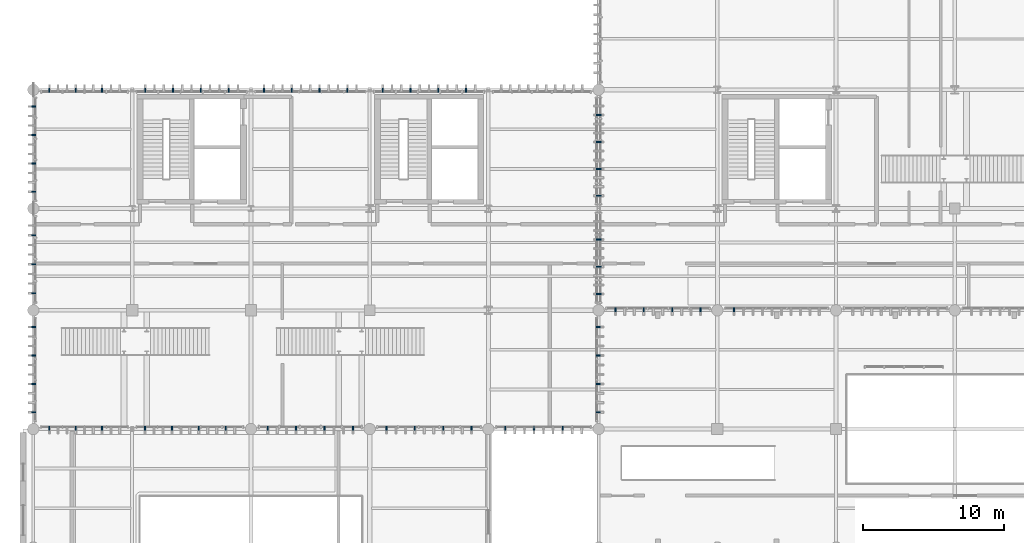
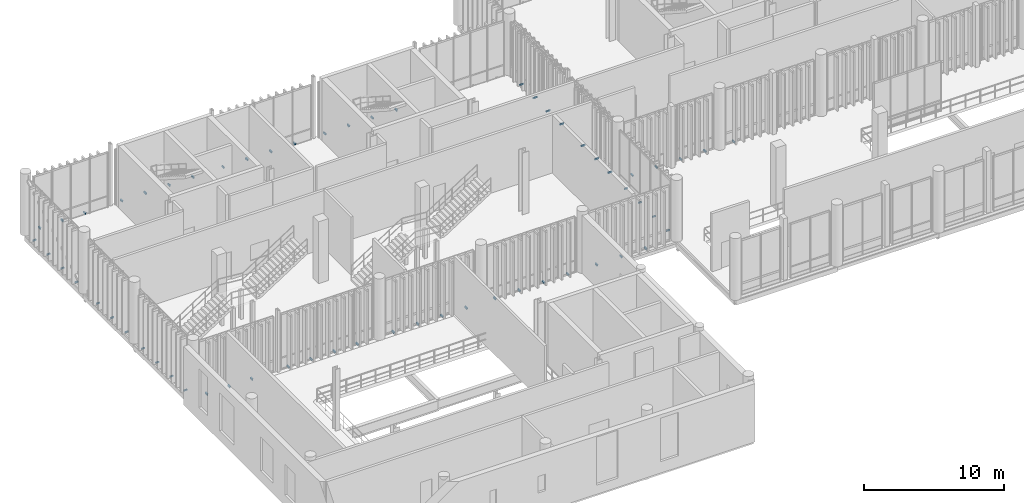
# One storey, part 115 of 128: 67 discrete accessories.
"""IFC4 building model written with IfcOpenShell, lengths in metres."""

from ifc_helpers import new_model, si_unit, direction, frame, origin_with_axes, origin_2d_with_axis, place, context, subcontext, project, spatial, rectangle, extrude, material, type_object, element, save


model = new_model("IFC4")

# Units and contexts
model_context = context("Model", 3, precision=1e-05, world=origin_with_axes(), true_north=direction((0.0, 1.0)))
body_context = subcontext(model_context, "Body", "Model", "MODEL_VIEW")
ifc_project = project(units=[si_unit("LENGTHUNIT", "METRE"), si_unit("AREAUNIT", "SQUARE_METRE"), si_unit("VOLUMEUNIT", "CUBIC_METRE"), si_unit("PLANEANGLEUNIT", "RADIAN"), si_unit("MASSUNIT", "GRAM", prefix="KILO"), si_unit("THERMODYNAMICTEMPERATUREUNIT", "KELVIN")], contexts=[model_context])

# Site, building, storey
site_placement = place(None, origin_with_axes())
site = spatial("IfcSite", under=ifc_project, at=site_placement, CompositionType="ELEMENT")
building_placement = place(site_placement, origin_with_axes())
building = spatial("IfcBuilding", under=site, at=building_placement, Name="Montbau Bow Law Courts", CompositionType="ELEMENT")
storey_placement = place(building_placement, frame((0.0, 0.0, 5.4), z_axis=(0.0, 0.0, 1.0), x_axis=(1.0, 0.0, 0.0)))
storey = spatial("IfcBuildingStorey", under=building, at=storey_placement, Name="L01", CompositionType="ELEMENT", Elevation=5.4)

# Discrete accessories
ifc_material = material(Name="Stainless Steel AISI 316L Outrigger Louvre Bracket", Category="steel")
discrete_accessory_type = type_object("IfcDiscreteAccessoryType", Name="DA-BRK-01", PredefinedType="BRACKET", material=ifc_material)
for number, where, z_axis, x_axis, name in (
    (1, (7.937, 30.64, 5.4), (0.0, 0.0, 1.0), (0.0, -1.0, 0.0), "BRK-L01-0058:brk_0058"),
    (2, (9.802, 30.64, 5.4), (0.0, 0.0, 1.0), (0.0, -1.0, 0.0), "BRK-L01-0059:brk_0059"),
    (3, (11.668, 30.64, 5.4), (0.0, 0.0, 1.0), (0.0, -1.0, 0.0), "BRK-L01-0060:brk_0060"),
    (4, (14.703, 30.64, 5.4), (0.0, 0.0, 1.0), (0.0, -1.0, 0.0), "BRK-L01-0061:brk_0061"),
    (5, (16.607, 30.64, 5.4), (0.0, 0.0, 1.0), (0.0, -1.0, 0.0), "BRK-L01-0062:brk_0062"),
    (6, (18.511, 30.64, 5.4), (0.0, 0.0, 1.0), (0.0, -1.0, 0.0), "BRK-L01-0063:brk_0063"),
    (7, (20.415, 30.64, 5.4), (0.0, 0.0, 1.0), (0.0, -1.0, 0.0), "BRK-L01-0064:brk_0064"),
    (8, (23.385, 30.64, 5.4), (0.0, 0.0, 1.0), (0.0, -1.0, 0.0), "BRK-L01-0065:brk_0065"),
    (9, (25.395, 30.64, 5.4), (0.0, 0.0, 1.0), (0.0, -1.0, 0.0), "BRK-L01-0066:brk_0066"),
    (10, (27.405, 30.64, 5.4), (0.0, 0.0, 1.0), (0.0, -1.0, 0.0), "BRK-L01-0067:brk_0067"),
    (11, (29.415, 30.64, 5.4), (0.0, 0.0, 1.0), (0.0, -1.0, 0.0), "BRK-L01-0068:brk_0068"),
    (12, (31.785, 30.64, 5.4), (0.0, 0.0, 1.0), (0.0, -1.0, 0.0), "BRK-L01-0069:brk_0069"),
    (13, (33.795, 30.64, 5.4), (0.0, 0.0, 1.0), (0.0, -1.0, 0.0), "BRK-L01-0070:brk_0070"),
    (14, (35.805, 30.64, 5.4), (0.0, 0.0, 1.0), (0.0, -1.0, 0.0), "BRK-L01-0071:brk_0071"),
    (15, (37.815, 30.64, 5.4), (0.0, 0.0, 1.0), (0.0, -1.0, 0.0), "BRK-L01-0072:brk_0072"),
    (16, (40.192, 30.64, 5.4), (0.0, 0.0, 1.0), (0.0, -1.0, 0.0), "BRK-L01-0073:brk_0073"),
    (17, (42.223, 30.64, 5.4), (0.0, 0.0, 1.0), (0.0, -1.0, 0.0), "BRK-L01-0074:brk_0074"),
    (18, (44.254, 30.64, 5.4), (0.0, 0.0, 1.0), (0.0, -1.0, 0.0), "BRK-L01-0075:brk_0075"),
    (19, (7.937, 54.56, 5.4), (0.0, 0.0, 1.0), (0.0, 1.0, 0.0), "BRK-L01-0076:brk_0076"),
    (20, (9.802, 54.56, 5.4), (0.0, 0.0, 1.0), (0.0, 1.0, 0.0), "BRK-L01-0077:brk_0077"),
    (21, (11.668, 54.56, 5.4), (0.0, 0.0, 1.0), (0.0, 1.0, 0.0), "BRK-L01-0078:brk_0078"),
    (22, (14.723, 54.56, 5.4), (0.0, 0.0, 1.0), (0.0, 1.0, 0.0), "BRK-L01-0079:brk_0079"),
    (23, (16.69, 54.56, 5.4), (0.0, 0.0, 1.0), (0.0, 1.0, 0.0), "BRK-L01-0080:brk_0080"),
    (24, (18.656, 54.56, 5.4), (0.0, 0.0, 1.0), (0.0, 1.0, 0.0), "BRK-L01-0081:brk_0081"),
    (25, (20.622, 54.56, 5.4), (0.0, 0.0, 1.0), (0.0, 1.0, 0.0), "BRK-L01-0082:brk_0082"),
    (26, (23.122, 54.56, 5.4), (0.0, 0.0, 1.0), (0.0, 1.0, 0.0), "BRK-L01-0083:brk_0083"),
    (27, (25.089, 54.56, 5.4), (0.0, 0.0, 1.0), (0.0, 1.0, 0.0), "BRK-L01-0084:brk_0084"),
    (28, (27.055, 54.56, 5.4), (0.0, 0.0, 1.0), (0.0, 1.0, 0.0), "BRK-L01-0085:brk_0085"),
    (29, (29.022, 54.56, 5.4), (0.0, 0.0, 1.0), (0.0, 1.0, 0.0), "BRK-L01-0086:brk_0086"),
    (30, (31.522, 54.56, 5.4), (0.0, 0.0, 1.0), (0.0, 1.0, 0.0), "BRK-L01-0087:brk_0087"),
    (31, (33.489, 54.56, 5.4), (0.0, 0.0, 1.0), (0.0, 1.0, 0.0), "BRK-L01-0088:brk_0088"),
    (32, (35.455, 54.56, 5.4), (0.0, 0.0, 1.0), (0.0, 1.0, 0.0), "BRK-L01-0089:brk_0089"),
    (33, (37.421, 54.56, 5.4), (0.0, 0.0, 1.0), (0.0, 1.0, 0.0), "BRK-L01-0090:brk_0090"),
    (34, (6.84, 31.785, 5.4), (0.0, 0.0, 1.0), (-1.0, 0.0, 0.0), "BRK-L01-0095:brk_0095"),
    (35, (6.84, 33.795, 5.4), (0.0, 0.0, 1.0), (-1.0, 0.0, 0.0), "BRK-L01-0096:brk_0096"),
    (36, (6.84, 35.805, 5.4), (0.0, 0.0, 1.0), (-1.0, 0.0, 0.0), "BRK-L01-0097:brk_0097"),
    (37, (6.84, 37.815, 5.4), (0.0, 0.0, 1.0), (-1.0, 0.0, 0.0), "BRK-L01-0098:brk_0098"),
    (38, (6.84, 40.201, 5.4), (0.0, 0.0, 1.0), (-1.0, 0.0, 0.0), "BRK-L01-0099:brk_0099"),
    (39, (6.84, 42.257, 5.4), (0.0, 0.0, 1.0), (-1.0, 0.0, 0.0), "BRK-L01-0100:brk_0100"),
    (40, (6.84, 44.314, 5.4), (0.0, 0.0, 1.0), (-1.0, 0.0, 0.0), "BRK-L01-0101:brk_0101"),
    (41, (6.84, 47.385, 5.4), (0.0, 0.0, 1.0), (-1.0, 0.0, 0.0), "BRK-L01-0102:brk_0102"),
    (42, (6.84, 49.395, 5.4), (0.0, 0.0, 1.0), (-1.0, 0.0, 0.0), "BRK-L01-0103:brk_0103"),
    (43, (6.84, 51.405, 5.4), (0.0, 0.0, 1.0), (-1.0, 0.0, 0.0), "BRK-L01-0104:brk_0104"),
    (44, (6.84, 53.415, 5.4), (0.0, 0.0, 1.0), (-1.0, 0.0, 0.0), "BRK-L01-0105:brk_0105"),
    (45, (46.76, 31.785, 5.4), (0.0, 0.0, 1.0), (1.0, 0.0, 0.0), "BRK-L01-0106:brk_0106"),
    (46, (46.76, 33.795, 5.4), (0.0, 0.0, 1.0), (1.0, 0.0, 0.0), "BRK-L01-0107:brk_0107"),
    (47, (46.76, 35.805, 5.4), (0.0, 0.0, 1.0), (1.0, 0.0, 0.0), "BRK-L01-0108:brk_0108"),
    (48, (46.76, 37.815, 5.4), (0.0, 0.0, 1.0), (1.0, 0.0, 0.0), "BRK-L01-0109:brk_0109"),
    (49, (46.76, 40.157, 5.4), (0.0, 0.0, 1.0), (1.0, 0.0, 0.0), "BRK-L01-0110:brk_0110"),
    (50, (46.76, 42.082, 5.4), (0.0, 0.0, 1.0), (1.0, 0.0, 0.0), "BRK-L01-0111:brk_0111"),
    (51, (46.76, 44.007, 5.4), (0.0, 0.0, 1.0), (1.0, 0.0, 0.0), "BRK-L01-0112:brk_0112"),
    (52, (46.76, 47.103, 5.4), (0.0, 0.0, 1.0), (1.0, 0.0, 0.0), "BRK-L01-0113:brk_0113"),
    (53, (46.76, 49.007, 5.4), (0.0, 0.0, 1.0), (1.0, 0.0, 0.0), "BRK-L01-0114:brk_0114"),
    (54, (46.76, 50.911, 5.4), (0.0, 0.0, 1.0), (1.0, 0.0, 0.0), "BRK-L01-0115:brk_0115"),
    (55, (46.76, 52.815, 5.4), (0.0, 0.0, 1.0), (1.0, 0.0, 0.0), "BRK-L01-0116:brk_0116"),
    (56, (47.985, 39.04, 5.4), (0.0, 0.0, 1.0), (0.0, -1.0, 0.0), "BRK-L01-0467:brk_0467"),
    (57, (49.995, 39.04, 5.4), (0.0, 0.0, 1.0), (0.0, -1.0, 0.0), "BRK-L01-0468:brk_0468"),
    (58, (52.005, 39.04, 5.4), (0.0, 0.0, 1.0), (0.0, -1.0, 0.0), "BRK-L01-0469:brk_0469"),
    (59, (54.015, 39.04, 5.4), (0.0, 0.0, 1.0), (0.0, -1.0, 0.0), "BRK-L01-0470:brk_0470"),
    (60, (56.385, 39.04, 5.4), (0.0, 0.0, 1.0), (0.0, -1.0, 0.0), "BRK-L01-0471:brk_0471"),
    (61, (46.84, 40.157, 5.4), (0.0, 0.0, 1.0), (-1.0, 0.0, 0.0), "BRK-L01-0515:brk_0515"),
    (62, (46.84, 42.082, 5.4), (0.0, 0.0, 1.0), (-1.0, 0.0, 0.0), "BRK-L01-0516:brk_0516"),
    (63, (46.84, 44.007, 5.4), (0.0, 0.0, 1.0), (-1.0, 0.0, 0.0), "BRK-L01-0517:brk_0517"),
    (64, (46.84, 47.103, 5.4), (0.0, 0.0, 1.0), (-1.0, 0.0, 0.0), "BRK-L01-0518:brk_0518"),
    (65, (46.84, 49.007, 5.4), (0.0, 0.0, 1.0), (-1.0, 0.0, 0.0), "BRK-L01-0519:brk_0519"),
    (66, (46.84, 50.911, 5.4), (0.0, 0.0, 1.0), (-1.0, 0.0, 0.0), "BRK-L01-0520:brk_0520"),
    (67, (46.84, 52.815, 5.4), (0.0, 0.0, 1.0), (-1.0, 0.0, 0.0), "BRK-L01-0521:brk_0521"),
):
    element("IfcDiscreteAccessory", number, at=place(None, frame(where, z_axis=z_axis, x_axis=x_axis)), inside=storey, type_object=discrete_accessory_type, Name=name, PredefinedType="BRACKET", context=body_context, shape_type="SweptSolid", body=[
        extrude(rectangle(XDim=0.28, YDim=0.09, at=origin_2d_with_axis()), origin_with_axes(), (0.0, 0.0, 1.0), 0.12),
    ])

save(model, "model.ifc")
